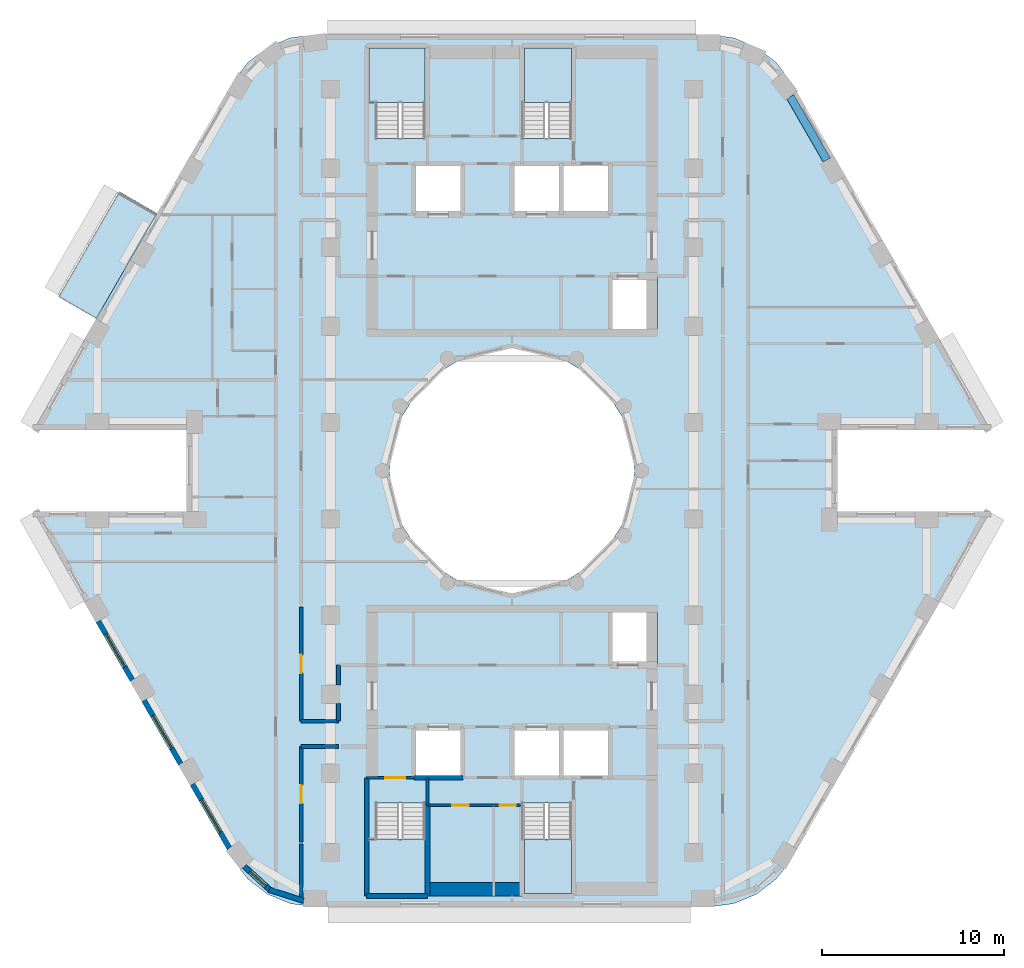
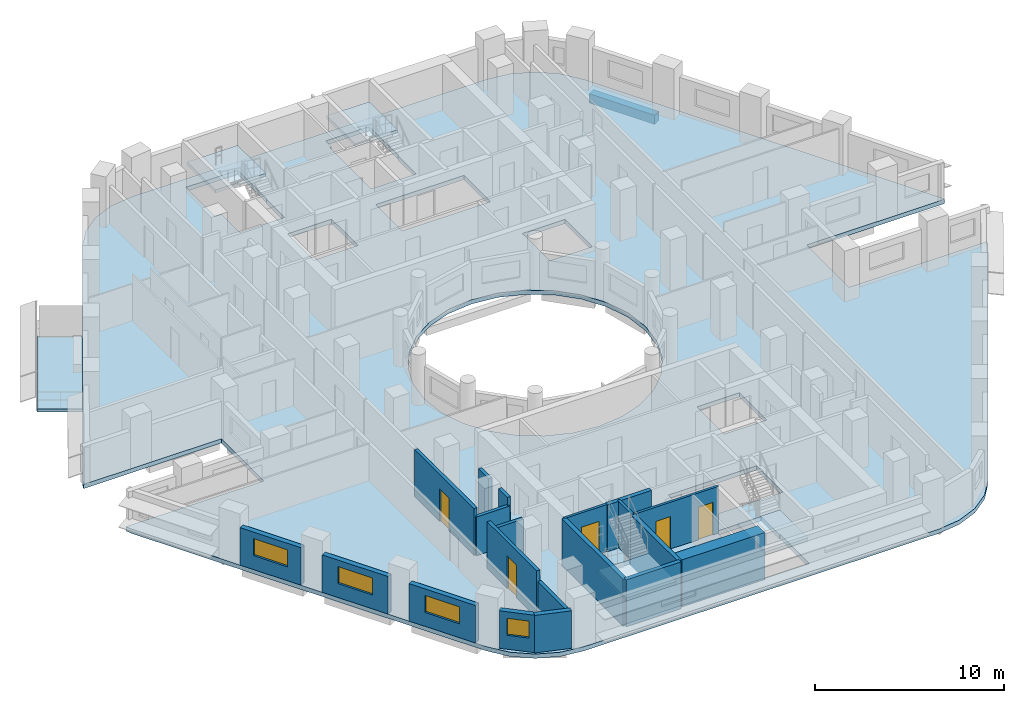
# One storey, part 2 of 13: 20 walls, 6 slabs, 5 doors, 4 windows, 1 beam, 9 openings, 4 elements without a shape of their own.
"""IFC4 building model written with IfcOpenShell, lengths in metres."""

from ifc_helpers import new_model, si_unit, direction, frame, frame_2d, origin, origin_2d, place, context, subcontext, project, spatial, polyline, rectangle, outline, extrude, material, layer, layer_set, material_profile, profile_set, type_object, element, fill, aggregate, save


model = new_model("IFC4")

# Units and contexts
model_context = context("Model", 3, precision=1e-05, world=origin(), true_north=direction((0.0, 1.0)))
body_context = subcontext(model_context, "Body", "Model", "MODEL_VIEW")
ifc_project = project(units=[si_unit("LENGTHUNIT", "METRE"), si_unit("AREAUNIT", "SQUARE_METRE"), si_unit("VOLUMEUNIT", "CUBIC_METRE"), si_unit("PLANEANGLEUNIT", "RADIAN"), si_unit("MASSUNIT", "GRAM", prefix="KILO")], contexts=[model_context])

# Site, building, storey
site_placement = place(None, origin())
site = spatial("IfcSite", under=ifc_project, at=site_placement, CompositionType="ELEMENT")
building_placement = place(site_placement, origin())
building = spatial("IfcBuilding", under=site, at=building_placement, Name="Nakaniwa Court", CompositionType="ELEMENT")
storey_placement = place(building_placement, frame((0.0, 0.0, 153.60009765625)))
storey = spatial("IfcBuildingStorey", under=building, at=storey_placement, Name="L40", CompositionType="ELEMENT", Elevation=153.60009765625)

# Beam
ifc_material_1 = material(Name="Concrete C80/100", Category="concrete")
ifc_material_profile = material_profile(ifc_material_1, rectangle(XDim=0.449951171875, YDim=0.60009765625, at=origin_2d()), Name="Concrete C80/100 RC 450x600 spandrel beam")
ifc_profile_set = profile_set([ifc_material_profile], Name="Concrete C80/100")
beam_type = type_object("IfcBeamType", Name="Concrete C80/100 RC 450x600 spandrel beam", PredefinedType="BEAM", material=ifc_profile_set)
beam_placement = place(storey_placement, frame((97.320556640625, 97.10009765625, -0.5751953125), z_axis=(-0.500018573463, 0.866014680125, 0.0), x_axis=(-0.866014680125, -0.500018573463, 0.0)))
element("IfcBeam", 1, at=beam_placement, inside=storey, type_object=beam_type, Name="SPANDREL BEAM", PredefinedType="BEAM", context=body_context, shape_type="SweptSolid", body=[
    extrude(rectangle(XDim=0.449951171875, YDim=0.60009765625, at=origin_2d()), origin(), (0.0, 0.0, 1.0), 4.020263671875),
])

# Slabs
ifc_material_2 = material(Name="Charcoal ceramic paver")
ifc_layer_1 = layer(ifc_material_2, 0.02, Name="Ceramic paver")
ifc_material_3 = material(Name="Cement sand screed")
ifc_layer_2 = layer(ifc_material_3, 0.03, Name="Falls screed")
ifc_material_4 = material(Name="Concrete C40/50", Category="concrete")
ifc_layer_3 = layer(ifc_material_4, 0.15, Name="Balcony slab")
ifc_layer_set_1 = layer_set([ifc_layer_1, ifc_layer_2, ifc_layer_3], Name="Concrete C40/50 balcony slab with ceramic paver finish")
slab_type_1 = type_object("IfcSlabType", Name="Balcony slab 200", PredefinedType="FLOOR", material=ifc_layer_set_1)
slab_1_placement = place(storey_placement, frame((0.0, 0.0, -0.25)))
element("IfcSlab", 2, at=slab_1_placement, inside=storey, type_object=slab_type_1, Name="L40 balcony 01", PredefinedType="FLOOR", context=body_context, shape_type="SweptSolid", body=[
    extrude(outline(polyline([(60.466796875, 94.16748046875), (57.12255859375, 88.375), (55.044189453125, 89.574951171875), (58.38818359375, 95.36767578125), (60.466796875, 94.16748046875)])), origin(), (0.0, 0.0, 1.0), 0.199951171875),
])
ifc_layer_4 = layer(ifc_material_1, 0.27490234375)
ifc_layer_set_2 = layer_set([ifc_layer_4], Name="Concrete C80/100")
slab_type_2 = type_object("IfcSlabType", Name="Concrete C80/100 post tensioned floor slab 275", PredefinedType="FLOOR", material=ifc_layer_set_2)
slab_2_placement = place(storey_placement, frame((0.0, 0.0, -0.275146484375)))
element("IfcSlab", 3, at=slab_2_placement, inside=storey, type_object=slab_type_2, Name="FLOOR SLAB", PredefinedType="FLOOR", context=body_context, shape_type="SweptSolid", body=[
    extrude(outline(polyline([(97.908447265625, 82.25), (106.356689453125, 82.25), (106.211669921875, 82.60009765625), (95.357421875, 101.39990234375), (94.531005859375, 102.47705078125), (93.4541015625, 103.30322265625), (92.199951171875, 103.82275390625), (90.854248046875, 104.0), (69.145751953125, 104.0), (67.800048828125, 103.82275390625), (66.5458984375, 103.30322265625), (65.468994140625, 102.47705078125), (64.642578125, 101.39990234375), (53.788330078125, 82.60009765625), (53.643310546875, 82.25), (62.091552734375, 82.25), (62.091552734375, 77.75), (53.643310546875, 77.75), (53.788330078125, 77.39990234375), (64.642578125, 58.60009765625), (65.468994140625, 57.52294921875), (66.5458984375, 56.69677734375), (67.800048828125, 56.17724609375), (69.145751953125, 56.0), (90.854248046875, 56.0), (92.199951171875, 56.17724609375), (93.4541015625, 56.69677734375), (94.531005859375, 57.52294921875), (95.357421875, 58.60009765625), (106.211669921875, 77.39990234375), (106.356689453125, 77.75), (97.908447265625, 77.75), (97.908447265625, 82.25)]), holes=[polyline([(81.501953125, 86.580810546875), (80.0, 86.75), (78.498046875, 86.580810546875), (77.0712890625, 86.08154296875), (75.79150390625, 85.27734375), (74.72265625, 84.20849609375), (73.91845703125, 82.9287109375), (73.419189453125, 81.501953125), (73.25, 80.0), (73.419189453125, 78.498046875), (73.91845703125, 77.0712890625), (74.72265625, 75.79150390625), (75.79150390625, 74.72265625), (77.0712890625, 73.91845703125), (78.498046875, 73.419189453125), (80.0, 73.25), (81.501953125, 73.419189453125), (82.9287109375, 73.91845703125), (84.20849609375, 74.72265625), (85.27734375, 75.79150390625), (86.08154296875, 77.0712890625), (86.580810546875, 78.498046875), (86.75, 80.0), (86.580810546875, 81.501953125), (86.08154296875, 82.9287109375), (85.27734375, 84.20849609375), (84.20849609375, 85.27734375), (82.9287109375, 86.08154296875), (81.501953125, 86.580810546875)]), polyline([(72.47509765625, 61.7099609375), (72.47509765625, 59.764892578125), (72.0849609375, 59.764892578125), (72.0849609375, 56.68505859375), (75.264892578125, 56.68505859375), (75.264892578125, 59.764892578125), (75.22509765625, 59.764892578125), (75.22509765625, 61.7099609375), (72.47509765625, 61.7099609375)]), polyline([(77.300048828125, 65.89990234375), (74.60009765625, 65.89990234375), (74.60009765625, 63.10009765625), (77.300048828125, 63.10009765625), (77.300048828125, 65.89990234375)]), polyline([(80.0, 65.89990234375), (80.0, 63.10009765625), (82.699951171875, 63.10009765625), (85.39990234375, 63.10009765625), (85.39990234375, 65.89990234375), (82.699951171875, 65.89990234375), (80.0, 65.89990234375)]), polyline([(77.300048828125, 96.89990234375), (74.60009765625, 96.89990234375), (74.60009765625, 94.10009765625), (77.300048828125, 94.10009765625), (77.300048828125, 96.89990234375)]), polyline([(80.0, 96.89990234375), (80.0, 94.10009765625), (82.699951171875, 94.10009765625), (85.39990234375, 94.10009765625), (85.39990234375, 96.89990234375), (82.699951171875, 96.89990234375), (80.0, 96.89990234375)]), polyline([(75.264892578125, 100.235107421875), (75.264892578125, 103.31494140625), (72.0849609375, 103.31494140625), (72.0849609375, 100.235107421875), (72.47509765625, 100.235107421875), (72.47509765625, 98.2900390625), (75.22509765625, 98.2900390625), (75.22509765625, 100.235107421875), (75.264892578125, 100.235107421875)]), polyline([(83.27490234375, 61.7099609375), (80.52490234375, 61.7099609375), (80.52490234375, 57.324951171875), (80.635009765625, 57.324951171875), (80.635009765625, 56.68505859375), (83.31494140625, 56.68505859375), (83.31494140625, 59.764892578125), (83.27490234375, 59.764892578125), (83.27490234375, 61.7099609375)]), polyline([(88.0, 72.199951171875), (85.39990234375, 72.199951171875), (85.39990234375, 69.300048828125), (88.0, 69.300048828125), (88.0, 72.199951171875)]), polyline([(88.0, 90.699951171875), (85.39990234375, 90.699951171875), (85.39990234375, 87.800048828125), (88.0, 87.800048828125), (88.0, 90.699951171875)]), polyline([(83.31494140625, 100.235107421875), (83.31494140625, 103.31494140625), (80.635009765625, 103.31494140625), (80.635009765625, 102.675048828125), (80.52490234375, 102.675048828125), (80.52490234375, 98.2900390625), (83.27490234375, 98.2900390625), (83.27490234375, 100.235107421875), (83.31494140625, 100.235107421875)])]), origin(), (0.0, 0.0, 1.0), 0.275146484375),
])

# Stair, slab
stair_type = type_object("IfcStairType", Name="Dog leg stair 1300 wide 18 risers", PredefinedType="HALF_TURN_STAIR", material=ifc_material_1)
stair_1_placement = place(storey_placement, origin())
stair_1 = element("IfcStair", 4, at=stair_1_placement, inside=storey, type_object=stair_type, Name="L40 Stair ST1", PredefinedType="HALF_TURN_STAIR")
ifc_layer_5 = layer(ifc_material_1, 0.199951171875)
ifc_layer_set_3 = layer_set([ifc_layer_5], Name="Concrete C80/100")
slab_type_3 = type_object("IfcSlabType", Name="Stair landing concrete", PredefinedType="LANDING", material=ifc_layer_set_3)
slab_3_placement = place(storey_placement, frame((0.0, 0.0, 1.449951171875)))
slab_3 = element("IfcSlab", 5, at=slab_3_placement, type_object=slab_type_3, Name="ST1 landing 1", PredefinedType="LANDING", context=body_context, shape_type="SweptSolid", body=[
    extrude(outline(polyline([(75.22509765625, 100.27490234375), (75.22509765625, 103.27490234375), (72.125, 103.27490234375), (72.125, 100.27490234375), (75.22509765625, 100.27490234375)])), origin(), (0.0, 0.0, 1.0), 0.199951171875),
])
aggregate(stair_1, [slab_3])

stair_2_placement = place(storey_placement, origin())
stair_2 = element("IfcStair", 6, at=stair_2_placement, inside=storey, type_object=stair_type, Name="L40 Stair ST2", PredefinedType="HALF_TURN_STAIR")
slab_4_placement = place(storey_placement, frame((0.0, 0.0, 1.449951171875)))
slab_4 = element("IfcSlab", 7, at=slab_4_placement, type_object=slab_type_3, Name="ST2 landing 1", PredefinedType="LANDING", context=body_context, shape_type="SweptSolid", body=[
    extrude(outline(polyline([(83.27490234375, 100.27490234375), (83.27490234375, 103.27490234375), (80.675048828125, 103.27490234375), (80.675048828125, 100.27490234375), (83.27490234375, 100.27490234375)])), origin(), (0.0, 0.0, 1.0), 0.199951171875),
])
aggregate(stair_2, [slab_4])

stair_3_placement = place(storey_placement, origin())
stair_3 = element("IfcStair", 8, at=stair_3_placement, inside=storey, type_object=stair_type, Name="L40 Stair ST3", PredefinedType="HALF_TURN_STAIR")
slab_5_placement = place(storey_placement, frame((0.0, 0.0, 1.449951171875)))
slab_5 = element("IfcSlab", 9, at=slab_5_placement, type_object=slab_type_3, Name="ST3 landing 1", PredefinedType="LANDING", context=body_context, shape_type="SweptSolid", body=[
    extrude(outline(polyline([(75.22509765625, 56.72509765625), (75.22509765625, 59.72509765625), (72.125, 59.72509765625), (72.125, 56.72509765625), (75.22509765625, 56.72509765625)])), origin(), (0.0, 0.0, 1.0), 0.199951171875),
])
aggregate(stair_3, [slab_5])

stair_4_placement = place(storey_placement, origin())
stair_4 = element("IfcStair", 10, at=stair_4_placement, inside=storey, type_object=stair_type, Name="L40 Stair ST4", PredefinedType="HALF_TURN_STAIR")
slab_6_placement = place(storey_placement, frame((0.0, 0.0, 1.449951171875)))
slab_6 = element("IfcSlab", 11, at=slab_6_placement, type_object=slab_type_3, Name="ST4 landing 1", PredefinedType="LANDING", context=body_context, shape_type="SweptSolid", body=[
    extrude(outline(polyline([(83.27490234375, 56.72509765625), (83.27490234375, 59.72509765625), (80.675048828125, 59.72509765625), (80.675048828125, 56.72509765625), (83.27490234375, 56.72509765625)])), origin(), (0.0, 0.0, 1.0), 0.199951171875),
])
aggregate(stair_4, [slab_6])

# Walls
ifc_material_5 = material(Name="Acoustic double stud partition")
ifc_layer_6 = layer(ifc_material_5, 0.199951171875)
ifc_layer_set_4 = layer_set([ifc_layer_6], Name="Acoustic double stud partition")
wall_type_1 = type_object("IfcWallType", Name="Acoustic double stud partition 200", PredefinedType="PARTITIONING", material=ifc_layer_set_4)
wall_1_placement = place(storey_placement, frame((68.39990234375, 64.824951171875, 0.0), z_axis=(0.0, 0.0, 1.0), x_axis=(1.0, 0.0, 0.0)))
element("IfcWall", 12, at=wall_1_placement, inside=storey, type_object=wall_type_1, Name="Partition PW-076", PredefinedType="PARTITIONING", context=body_context, shape_type="SweptSolid", body=[
    extrude(rectangle(XDim=2.06298828125, YDim=0.199951171875, at=frame_2d((1.031494140625, 0.0))), origin(), (0.0, 0.0, 1.0), 2.5048828125),
])
wall_2_placement = place(storey_placement, frame((68.39990234375, 66.22509765625, 0.0), z_axis=(0.0, 0.0, 1.0), x_axis=(1.0, 0.0, 0.0)))
element("IfcWall", 13, at=wall_2_placement, inside=storey, type_object=wall_type_1, Name="Partition PW-087", PredefinedType="PARTITIONING", context=body_context, shape_type="SweptSolid", body=[
    extrude(rectangle(XDim=2.050048828125, YDim=0.199951171875, at=frame_2d((1.02490234375, 0.0))), origin(), (0.0, 0.0, 1.0), 2.5048828125),
])
wall_3_placement = place(storey_placement, frame((68.39990234375, 56.40087890625, 0.0), z_axis=(0.0, 0.0, 1.0), x_axis=(0.0, 1.0, 0.0)))
element("IfcWall", 14, at=wall_3_placement, inside=storey, type_object=wall_type_1, Name="Partition PW-097", PredefinedType="PARTITIONING", context=body_context, shape_type="SweptSolid", body=[
    extrude(rectangle(XDim=3.06201171875, YDim=0.199951171875, at=frame_2d((1.531005859375, 0.0))), origin(), (0.0, 0.0, 1.0), 2.40478515625),
])

# Wall, opening, door
wall_4_placement = place(storey_placement, frame((68.39990234375, 64.824951171875, 0.0), z_axis=(0.0, 0.0, 1.0), x_axis=(0.0, -1.0, 0.0)))
wall_4 = element("IfcWall", 15, at=wall_4_placement, inside=storey, type_object=wall_type_1, Name="Partition PW-098", PredefinedType="PARTITIONING", context=body_context, shape_type="SweptSolid", body=[
    extrude(rectangle(XDim=5.247802734375, YDim=0.199951171875, at=frame_2d((2.6240234375, 0.0))), origin(), (0.0, 0.0, 1.0), 3.02490234375),
])
opening_1_placement = place(wall_4_placement, frame((2.123046875, 0.0, 0.0)))
opening_1 = element("IfcOpeningElement", 16, at=opening_1_placement, cuts=wall_4, Name="Opening D-02-05", PredefinedType="OPENING", context=body_context, shape_type="SweptSolid", body=[
    extrude(rectangle(XDim=1.0, YDim=2.10009765625, at=frame_2d((0.5, 1.050048828125))), frame((0.0, 0.10986328125, 0.0), z_axis=(0.0, -1.0, 0.0), x_axis=(1.0, 0.0, 0.0)), (0.0, 0.0, 1.0), 0.219970703125),
])
ifc_material_6 = material(Name="Solid core timber door set, black veneer", Category="wood")
door_type_1 = type_object("IfcDoorType", Name="Internal door 1000", OperationType="NOTDEFINED", PredefinedType="DOOR", material=ifc_material_6)
door_1_placement = place(opening_1_placement, origin())
door_1 = element("IfcDoor", 17, at=door_1_placement, inside=storey, type_object=door_type_1, Name="Door D-02-05 L40-031", OperationType="SINGLE_SWING_RIGHT", OverallHeight=2.10009765625, OverallWidth=1.0, PredefinedType="DOOR", context=body_context, shape_type="SweptSolid", body=[
    extrude(rectangle(XDim=1.0, YDim=2.10009765625, at=frame_2d((0.5, 1.050048828125))), frame((0.0, 0.02490234375, 0.0), z_axis=(0.0, -1.0, 0.0), x_axis=(1.0, 0.0, 0.0)), (0.0, 0.0, 1.0), 0.050048828125),
])
fill(opening_1, door_1)

wall_5_placement = place(storey_placement, frame((68.39990234375, 72.5126953125, 0.0), z_axis=(0.0, 0.0, 1.0), x_axis=(0.0, -1.0, 0.0)))
wall_5 = element("IfcWall", 18, at=wall_5_placement, inside=storey, type_object=wall_type_1, Name="Partition PW-099", PredefinedType="PARTITIONING", context=body_context, shape_type="SweptSolid", body=[
    extrude(rectangle(XDim=6.28759765625, YDim=0.199951171875, at=frame_2d((3.143798828125, 0.0))), origin(), (0.0, 0.0, 1.0), 3.02490234375),
])
opening_2_placement = place(wall_5_placement, frame((2.64501953125, 0.0, 0.0)))
opening_2 = element("IfcOpeningElement", 19, at=opening_2_placement, cuts=wall_5, Name="Opening D-02-07", PredefinedType="OPENING", context=body_context, shape_type="SweptSolid", body=[
    extrude(rectangle(XDim=1.0, YDim=2.10009765625, at=frame_2d((0.5, 1.050048828125))), frame((0.0, 0.10986328125, 0.0), z_axis=(0.0, -1.0, 0.0), x_axis=(1.0, 0.0, 0.0)), (0.0, 0.0, 1.0), 0.219970703125),
])
door_2_placement = place(opening_2_placement, origin())
door_2 = element("IfcDoor", 20, at=door_2_placement, inside=storey, type_object=door_type_1, Name="Door D-02-07 L40-033", OperationType="SINGLE_SWING_RIGHT", OverallHeight=2.10009765625, OverallWidth=1.0, PredefinedType="DOOR", context=body_context, shape_type="SweptSolid", body=[
    extrude(rectangle(XDim=1.0, YDim=2.10009765625, at=frame_2d((0.5, 1.050048828125))), frame((0.0, 0.02490234375, 0.0), z_axis=(0.0, -1.0, 0.0), x_axis=(1.0, 0.0, 0.0)), (0.0, 0.0, 1.0), 0.050048828125),
])
fill(opening_2, door_2)

# Walls
wall_6_placement = place(storey_placement, frame((70.449951171875, 66.22509765625, 0.0), z_axis=(0.0, 0.0, 1.0), x_axis=(0.0, 1.0, 0.0)))
element("IfcWall", 21, at=wall_6_placement, inside=storey, type_object=wall_type_1, Name="Partition PW-107", PredefinedType="PARTITIONING", context=body_context, shape_type="SweptSolid", body=[
    extrude(rectangle(XDim=0.957763671875, YDim=0.199951171875, at=frame_2d((0.47900390625, 0.0))), origin(), (0.0, 0.0, 1.0), 3.02490234375),
])
wall_7_placement = place(storey_placement, frame((70.449951171875, 68.21728515625, 0.0), z_axis=(0.0, 0.0, 1.0), x_axis=(0.0, 1.0, 0.0)))
element("IfcWall", 22, at=wall_7_placement, inside=storey, type_object=wall_type_1, Name="Partition PW-108", PredefinedType="PARTITIONING", context=body_context, shape_type="SweptSolid", body=[
    extrude(rectangle(XDim=1.082763671875, YDim=0.199951171875, at=frame_2d((0.54150390625, 0.0))), origin(), (0.0, 0.0, 1.0), 3.02490234375),
])

# Wall, opening, window
ifc_material_7 = material(Name="Charcoal ceramic cladding")
ifc_layer_7 = layer(ifc_material_7, 0.02, Name="Ceramic cladding")
ifc_material_8 = material(Name="Ventilated air cavity")
ifc_layer_8 = layer(ifc_material_8, 0.04, ventilated=True, Name="Ventilated cavity")
ifc_material_9 = material(Name="Mineral wool insulation")
ifc_layer_9 = layer(ifc_material_9, 0.1, Name="Insulation")
ifc_material_10 = material(Name="Cement bonded sheathing board")
ifc_layer_10 = layer(ifc_material_10, 0.012, Name="Sheathing")
ifc_material_11 = material(Name="Cold-formed galvanised stud frame with mineral wool infill")
ifc_layer_11 = layer(ifc_material_11, 0.1, Name="Stud frame")
ifc_material_12 = material(Name="Fire-rated gypsum plasterboard lining")
ifc_layer_12 = layer(ifc_material_12, 0.028, Name="Lining")
ifc_layer_set_5 = layer_set([ifc_layer_7, ifc_layer_8, ifc_layer_9, ifc_layer_10, ifc_layer_11, ifc_layer_12], Name="Charcoal ceramic faced external wall system")
wall_type_2 = type_object("IfcWallType", Name="Black ceramic faced external wall 300", PredefinedType="SOLIDWALL", material=ifc_layer_set_5)
wall_8_placement = place(storey_placement, frame((57.240478515625, 71.720947265625, 0.0), z_axis=(0.0, 0.0, 1.0), x_axis=(0.499933594891, -0.866063739398, 0.0)))
wall_8 = element("IfcWall", 23, at=wall_8_placement, inside=storey, type_object=wall_type_2, Name="L40 external wall 21", PredefinedType="SOLIDWALL", context=body_context, shape_type="SweptSolid", body=[
    extrude(rectangle(XDim=3.73681640625, YDim=0.300048828125, at=frame_2d((1.868408203125, 0.0))), origin(), (0.0, 0.0, 1.0), 2.4248046875),
])
opening_3_placement = place(wall_8_placement, frame((0.818359375, 0.0, 0.89990234375)))
opening_3 = element("IfcOpeningElement", 24, at=opening_3_placement, cuts=wall_8, Name="Opening W7.21", PredefinedType="OPENING", context=body_context, shape_type="SweptSolid", body=[
    extrude(rectangle(XDim=2.10009765625, YDim=1.10009765625, at=frame_2d((1.050048828125, 0.550048828125))), frame((0.0, 0.159912109375, 0.0), z_axis=(0.0, -1.0, 0.0), x_axis=(1.0, 0.0, 0.0)), (0.0, 0.0, 1.0), 0.320068359375),
])
ifc_material_13 = material(Name="Black anodised aluminium frame with dark low-E laminated double glazing", Category="aluminium")
window_type_1 = type_object("IfcWindowType", Name="Dark glass window 2100x1100 sill 900", PartitioningType="SINGLE_PANEL", PredefinedType="WINDOW", material=ifc_material_13)
window_1_placement = place(opening_3_placement, origin())
window_1 = element("IfcWindow", 25, at=window_1_placement, inside=storey, type_object=window_type_1, Name="L40 habitable room window 21-0", OverallHeight=1.10009765625, OverallWidth=2.10009765625, PartitioningType="SINGLE_PANEL", PredefinedType="WINDOW", context=body_context, shape_type="SweptSolid", body=[
    extrude(rectangle(XDim=2.10009765625, YDim=1.10009765625, at=frame_2d((1.050048828125, 0.550048828125))), frame((0.0, 0.030029296875, 0.0), z_axis=(0.0, -1.0, 0.0), x_axis=(1.0, 0.0, 0.0)), (0.0, 0.0, 1.0), 0.06005859375),
])
fill(opening_3, window_1)

wall_9_placement = place(storey_placement, frame((59.754638671875, 67.36572265625, 0.0), z_axis=(0.0, 0.0, 1.0), x_axis=(0.500031546601, -0.86600718958, 0.0)))
wall_9 = element("IfcWall", 26, at=wall_9_placement, inside=storey, type_object=wall_type_2, Name="L40 external wall 22", PredefinedType="SOLIDWALL", context=body_context, shape_type="SweptSolid", body=[
    extrude(rectangle(XDim=4.033935546875, YDim=0.300048828125, at=frame_2d((2.01708984375, 0.0))), origin(), (0.0, 0.0, 1.0), 2.4248046875),
])
opening_4_placement = place(wall_9_placement, frame((0.966796875, 0.0, 0.89990234375)))
opening_4 = element("IfcOpeningElement", 27, at=opening_4_placement, cuts=wall_9, Name="Opening W7.22", PredefinedType="OPENING", context=body_context, shape_type="SweptSolid", body=[
    extrude(rectangle(XDim=2.10009765625, YDim=1.10009765625, at=frame_2d((1.050048828125, 0.550048828125))), frame((0.0, 0.159912109375, 0.0), z_axis=(0.0, -1.0, 0.0), x_axis=(1.0, 0.0, 0.0)), (0.0, 0.0, 1.0), 0.320068359375),
])
window_2_placement = place(opening_4_placement, origin())
window_2 = element("IfcWindow", 28, at=window_2_placement, inside=storey, type_object=window_type_1, Name="L40 habitable room window 22-0", OverallHeight=1.10009765625, OverallWidth=2.10009765625, PartitioningType="SINGLE_PANEL", PredefinedType="WINDOW", context=body_context, shape_type="SweptSolid", body=[
    extrude(rectangle(XDim=2.10009765625, YDim=1.10009765625, at=frame_2d((1.050048828125, 0.550048828125))), frame((0.0, 0.030029296875, 0.0), z_axis=(0.0, -1.0, 0.0), x_axis=(1.0, 0.0, 0.0)), (0.0, 0.0, 1.0), 0.06005859375),
])
fill(opening_4, window_2)

wall_10_placement = place(storey_placement, frame((62.417724609375, 62.75341796875, 0.0), z_axis=(0.0, 0.0, 1.0), x_axis=(0.500018589245, -0.866014671013, 0.0)))
wall_10 = element("IfcWall", 29, at=wall_10_placement, inside=storey, type_object=wall_type_2, Name="L40 external wall 23", PredefinedType="SOLIDWALL", context=body_context, shape_type="SweptSolid", body=[
    extrude(rectangle(XDim=4.067626953125, YDim=0.300048828125, at=frame_2d((2.03369140625, 0.0))), origin(), (0.0, 0.0, 1.0), 2.4248046875),
])
opening_5_placement = place(wall_10_placement, frame((0.97265625, 0.0, 0.89990234375)))
opening_5 = element("IfcOpeningElement", 30, at=opening_5_placement, cuts=wall_10, Name="Opening W7.23", PredefinedType="OPENING", context=body_context, shape_type="SweptSolid", body=[
    extrude(rectangle(XDim=2.10009765625, YDim=1.10009765625, at=frame_2d((1.050048828125, 0.550048828125))), frame((0.0, 0.159912109375, 0.0), z_axis=(0.0, -1.0, 0.0), x_axis=(1.0, 0.0, 0.0)), (0.0, 0.0, 1.0), 0.320068359375),
])
window_3_placement = place(opening_5_placement, origin())
window_3 = element("IfcWindow", 31, at=window_3_placement, inside=storey, type_object=window_type_1, Name="L40 habitable room window 23-0", OverallHeight=1.10009765625, OverallWidth=2.10009765625, PartitioningType="SINGLE_PANEL", PredefinedType="WINDOW", context=body_context, shape_type="SweptSolid", body=[
    extrude(rectangle(XDim=2.10009765625, YDim=1.10009765625, at=frame_2d((1.050048828125, 0.550048828125))), frame((0.0, 0.030029296875, 0.0), z_axis=(0.0, -1.0, 0.0), x_axis=(1.0, 0.0, 0.0)), (0.0, 0.0, 1.0), 0.06005859375),
])
fill(opening_5, window_3)

wall_11_placement = place(storey_placement, frame((65.26904296875, 58.229248046875, 0.0), z_axis=(0.0, 0.0, 1.0), x_axis=(0.737487298625, -0.675361002995, 0.0)))
wall_11 = element("IfcWall", 32, at=wall_11_placement, inside=storey, type_object=wall_type_2, Name="L40 external wall 24", PredefinedType="SOLIDWALL", context=body_context, shape_type="SweptSolid", body=[
    extrude(rectangle(XDim=1.9765625, YDim=0.300048828125, at=frame_2d((0.98828125, 0.0))), origin(), (0.0, 0.0, 1.0), 2.4248046875),
])
opening_6_placement = place(wall_11_placement, frame((0.41552734375, 0.0, 0.89990234375)))
opening_6 = element("IfcOpeningElement", 33, at=opening_6_placement, cuts=wall_11, Name="Opening W6.24", PredefinedType="OPENING", context=body_context, shape_type="SweptSolid", body=[
    extrude(rectangle(XDim=1.199951171875, YDim=1.10009765625, at=frame_2d((0.60009765625, 0.550048828125))), frame((0.0, 0.159912109375, 0.0), z_axis=(0.0, -1.0, 0.0), x_axis=(1.0, 0.0, 0.0)), (0.0, 0.0, 1.0), 0.320068359375),
])
window_type_2 = type_object("IfcWindowType", Name="Dark glass window 1200x1100 sill 900", PartitioningType="SINGLE_PANEL", PredefinedType="WINDOW", material=ifc_material_13)
window_4_placement = place(opening_6_placement, origin())
window_4 = element("IfcWindow", 34, at=window_4_placement, inside=storey, type_object=window_type_2, Name="L40 habitable room window 24-0", OverallHeight=1.10009765625, OverallWidth=1.199951171875, PartitioningType="SINGLE_PANEL", PredefinedType="WINDOW", context=body_context, shape_type="SweptSolid", body=[
    extrude(rectangle(XDim=1.199951171875, YDim=1.10009765625, at=frame_2d((0.60009765625, 0.550048828125))), frame((0.0, 0.030029296875, 0.0), z_axis=(0.0, -1.0, 0.0), x_axis=(1.0, 0.0, 0.0)), (0.0, 0.0, 1.0), 0.06005859375),
])
fill(opening_6, window_4)

# Wall
wall_12_placement = place(storey_placement, frame((66.625732421875, 56.94580078125, 0.0), z_axis=(0.0, 0.0, 1.0), x_axis=(0.952201240673, -0.305471434444, 0.0)))
element("IfcWall", 35, at=wall_12_placement, inside=storey, type_object=wall_type_2, Name="L40 external wall 25", PredefinedType="SOLIDWALL", context=body_context, shape_type="SweptSolid", body=[
    extrude(rectangle(XDim=1.998779296875, YDim=0.300048828125, at=frame_2d((0.99951171875, 0.0))), origin(), (0.0, 0.0, 1.0), 2.4248046875),
])

# Wall, openings, doors
ifc_material_14 = material(Name="Blockwork partition", Category="masonry")
ifc_layer_13 = layer(ifc_material_14, 0.14990234375)
ifc_layer_set_6 = layer_set([ifc_layer_13], Name="Blockwork partition")
wall_type_3 = type_object("IfcWallType", Name="Blockwork partition 150", PredefinedType="PARTITIONING", material=ifc_layer_set_6)
wall_13_placement = place(storey_placement, frame((80.550048828125, 61.60009765625, 0.0), z_axis=(0.0, 0.0, 1.0), x_axis=(-1.0, 0.0, 0.0)))
wall_13 = element("IfcWall", 36, at=wall_13_placement, inside=storey, type_object=wall_type_3, Name="Partition PW-065", PredefinedType="PARTITIONING", context=body_context, shape_type="SweptSolid", body=[
    extrude(rectangle(XDim=5.199951171875, YDim=0.14990234375, at=frame_2d((2.60009765625, 0.0))), origin(), (0.0, 0.0, 1.0), 3.02490234375),
])
opening_7_placement = place(wall_13_placement, frame((2.929931640625, 0.0, 0.0)))
opening_7 = element("IfcOpeningElement", 37, at=opening_7_placement, cuts=wall_13, Name="Opening D-05-11", PredefinedType="OPENING", context=body_context, shape_type="SweptSolid", body=[
    extrude(rectangle(XDim=0.89990234375, YDim=2.10009765625, at=frame_2d((0.449951171875, 1.050048828125))), frame((0.0, 0.0849609375, 0.0), z_axis=(0.0, -1.0, 0.0), x_axis=(1.0, 0.0, 0.0)), (0.0, 0.0, 1.0), 0.169921875),
])
opening_8_placement = place(wall_13_placement, frame((0.330078125, 0.0, 0.0)))
opening_8 = element("IfcOpeningElement", 38, at=opening_8_placement, cuts=wall_13, Name="Opening D-05-12", PredefinedType="OPENING", context=body_context, shape_type="SweptSolid", body=[
    extrude(rectangle(XDim=0.89990234375, YDim=2.10009765625, at=frame_2d((0.449951171875, 1.050048828125))), frame((0.0, 0.0849609375, 0.0), z_axis=(0.0, -1.0, 0.0), x_axis=(1.0, 0.0, 0.0)), (0.0, 0.0, 1.0), 0.169921875),
])
ifc_material_15 = material(Name="Fire rated steel door set", Category="steel")
door_type_2 = type_object("IfcDoorType", Name="Service room door 900", OperationType="NOTDEFINED", PredefinedType="DOOR", material=ifc_material_15)
door_3_placement = place(opening_7_placement, origin())
door_3 = element("IfcDoor", 39, at=door_3_placement, inside=storey, type_object=door_type_2, Name="Door D-05-11 L40-019", OperationType="SINGLE_SWING_RIGHT", OverallHeight=2.10009765625, OverallWidth=0.89990234375, PredefinedType="DOOR", context=body_context, shape_type="SweptSolid", body=[
    extrude(rectangle(XDim=0.89990234375, YDim=2.10009765625, at=frame_2d((0.449951171875, 1.050048828125))), frame((0.0, 0.02490234375, 0.0), z_axis=(0.0, -1.0, 0.0), x_axis=(1.0, 0.0, 0.0)), (0.0, 0.0, 1.0), 0.050048828125),
])
fill(opening_7, door_3)
door_4_placement = place(opening_8_placement, origin())
door_4 = element("IfcDoor", 40, at=door_4_placement, inside=storey, type_object=door_type_2, Name="Door D-05-12 L40-020", OperationType="SINGLE_SWING_LEFT", OverallHeight=2.10009765625, OverallWidth=0.89990234375, PredefinedType="DOOR", context=body_context, shape_type="SweptSolid", body=[
    extrude(rectangle(XDim=0.89990234375, YDim=2.10009765625, at=frame_2d((0.449951171875, 1.050048828125))), frame((0.0, 0.02490234375, 0.0), z_axis=(0.0, -1.0, 0.0), x_axis=(1.0, 0.0, 0.0)), (0.0, 0.0, 1.0), 0.050048828125),
])
fill(opening_8, door_4)

# Wall, opening, door
ifc_layer_14 = layer(ifc_material_1, 0.14990234375)
ifc_layer_set_7 = layer_set([ifc_layer_14], Name="Concrete C80/100")
wall_type_4 = type_object("IfcWallType", Name="Concrete core wall 150 C80", PredefinedType="SHEAR", material=ifc_layer_set_7)
wall_14_placement = place(storey_placement, frame((72.0, 63.10009765625, -0.275146484375), z_axis=(0.0, 0.0, 1.0), x_axis=(1.0, 0.0, 0.0)))
wall_14 = element("IfcWall", 41, at=wall_14_placement, inside=storey, type_object=wall_type_4, Name="Core wall SW-48", PredefinedType="SHEAR", context=body_context, shape_type="SweptSolid", body=[
    extrude(rectangle(XDim=2.60009765625, YDim=0.14990234375, at=frame_2d((1.300048828125, 0.0))), origin(), (0.0, 0.0, 1.0), 3.300048828125),
])
opening_9_placement = place(wall_14_placement, frame((1.02001953125, 0.0, 0.27490234375)))
opening_9 = element("IfcOpeningElement", 42, at=opening_9_placement, cuts=wall_14, Name="Opening D-09-02", PredefinedType="OPENING", context=body_context, shape_type="SweptSolid", body=[
    extrude(rectangle(XDim=1.10009765625, YDim=2.10009765625, at=frame_2d((0.550048828125, 1.050048828125))), frame((0.0, 0.0849609375, 0.0), z_axis=(0.0, -1.0, 0.0), x_axis=(1.0, 0.0, 0.0)), (0.0, 0.0, 1.0), 0.169921875),
])
door_type_3 = type_object("IfcDoorType", Name="Stair door 1100", OperationType="NOTDEFINED", PredefinedType="DOOR", material=ifc_material_15)
door_5_placement = place(opening_9_placement, origin())
door_5 = element("IfcDoor", 43, at=door_5_placement, inside=storey, type_object=door_type_3, Name="Door D-09-02 L40-021", OperationType="SINGLE_SWING_LEFT", OverallHeight=2.10009765625, OverallWidth=1.10009765625, PredefinedType="DOOR", context=body_context, shape_type="SweptSolid", body=[
    extrude(rectangle(XDim=1.10009765625, YDim=2.10009765625, at=frame_2d((0.550048828125, 1.050048828125))), frame((0.0, 0.02490234375, 0.0), z_axis=(0.0, -1.0, 0.0), x_axis=(1.0, 0.0, 0.0)), (0.0, 0.0, 1.0), 0.050048828125),
])
fill(opening_9, door_5)

# Walls
wall_15_placement = place(storey_placement, frame((75.35009765625, 61.596923828125, -0.275146484375), z_axis=(0.0, 0.0, 1.0), x_axis=(0.0, 1.0, 0.0)))
element("IfcWall", 44, at=wall_15_placement, inside=storey, type_object=wall_type_4, Name="Core wall SW-55", PredefinedType="SHEAR", context=body_context, shape_type="SweptSolid", body=[
    extrude(rectangle(XDim=1.503173828125, YDim=0.14990234375, at=frame_2d((0.75146484375, 0.0))), origin(), (0.0, 0.0, 1.0), 3.300048828125),
])
ifc_layer_15 = layer(ifc_material_1, 0.25)
ifc_layer_set_8 = layer_set([ifc_layer_15], Name="Concrete C80/100")
wall_type_5 = type_object("IfcWallType", Name="Concrete core wall 250 C80", PredefinedType="SHEAR", material=ifc_layer_set_8)
wall_16_placement = place(storey_placement, frame((72.0, 56.60009765625, -0.275146484375), z_axis=(0.0, 0.0, 1.0), x_axis=(0.0, 1.0, 0.0)))
element("IfcWall", 45, at=wall_16_placement, inside=storey, type_object=wall_type_5, Name="Core wall SW-57", PredefinedType="SHEAR", context=body_context, shape_type="SweptSolid", body=[
    extrude(rectangle(XDim=6.5, YDim=0.25, at=frame_2d((3.25, 0.0))), origin(), (0.0, 0.0, 1.0), 3.300048828125),
])
wall_17_placement = place(storey_placement, frame((72.0, 56.60009765625, -0.275146484375), z_axis=(0.0, 0.0, 1.0), x_axis=(1.0, 0.0, 0.0)))
element("IfcWall", 46, at=wall_17_placement, inside=storey, type_object=wall_type_5, Name="Core wall SW-58", PredefinedType="SHEAR", context=body_context, shape_type="SweptSolid", body=[
    extrude(rectangle(XDim=3.35009765625, YDim=0.25, at=frame_2d((1.675048828125, 0.0))), origin(), (0.0, 0.0, 1.0), 3.300048828125),
])
ifc_layer_16 = layer(ifc_material_1, 0.75)
ifc_layer_set_9 = layer_set([ifc_layer_16], Name="Concrete C80/100")
wall_type_6 = type_object("IfcWallType", Name="Concrete core wall 750 C80", PredefinedType="SHEAR", material=ifc_layer_set_9)
wall_18_placement = place(storey_placement, frame((75.35009765625, 56.97509765625, -0.275146484375), z_axis=(0.0, 0.0, 1.0), x_axis=(1.0, 0.0, 0.0)))
element("IfcWall", 47, at=wall_18_placement, inside=storey, type_object=wall_type_6, Name="Core wall SW-63", PredefinedType="SHEAR", context=body_context, shape_type="SweptSolid", body=[
    extrude(rectangle(XDim=5.199951171875, YDim=0.75, at=frame_2d((2.60009765625, 0.0))), origin(), (0.0, 0.0, 1.0), 3.300048828125),
])
ifc_layer_17 = layer(ifc_material_1, 0.25)
ifc_layer_set_10 = layer_set([ifc_layer_17], Name="Concrete C80/100")
wall_type_7 = type_object("IfcWallType", Name="Concrete shaft wall 250 C80", PredefinedType="SHEAR", material=ifc_layer_set_10)
wall_19_placement = place(storey_placement, frame((74.60009765625, 63.10009765625, -0.275146484375), z_axis=(0.0, 0.0, 1.0), x_axis=(1.0, 0.0, 0.0)))
element("IfcWall", 48, at=wall_19_placement, inside=storey, type_object=wall_type_7, Name="Core wall SW-50", PredefinedType="SHEAR", context=body_context, shape_type="SweptSolid", body=[
    extrude(rectangle(XDim=2.699951171875, YDim=0.25, at=frame_2d((1.35009765625, 0.0))), origin(), (0.0, 0.0, 1.0), 3.300048828125),
])
wall_20_placement = place(storey_placement, frame((75.35009765625, 56.60009765625, -0.275146484375), z_axis=(0.0, 0.0, 1.0), x_axis=(0.0, 1.0, 0.0)))
element("IfcWall", 49, at=wall_20_placement, inside=storey, type_object=wall_type_7, Name="Core wall SW-56", PredefinedType="SHEAR", context=body_context, shape_type="SweptSolid", body=[
    extrude(rectangle(XDim=5.0029296875, YDim=0.25, at=frame_2d((2.50146484375, 0.0))), origin(), (0.0, 0.0, 1.0), 3.300048828125),
])

save(model, "model.ifc")
